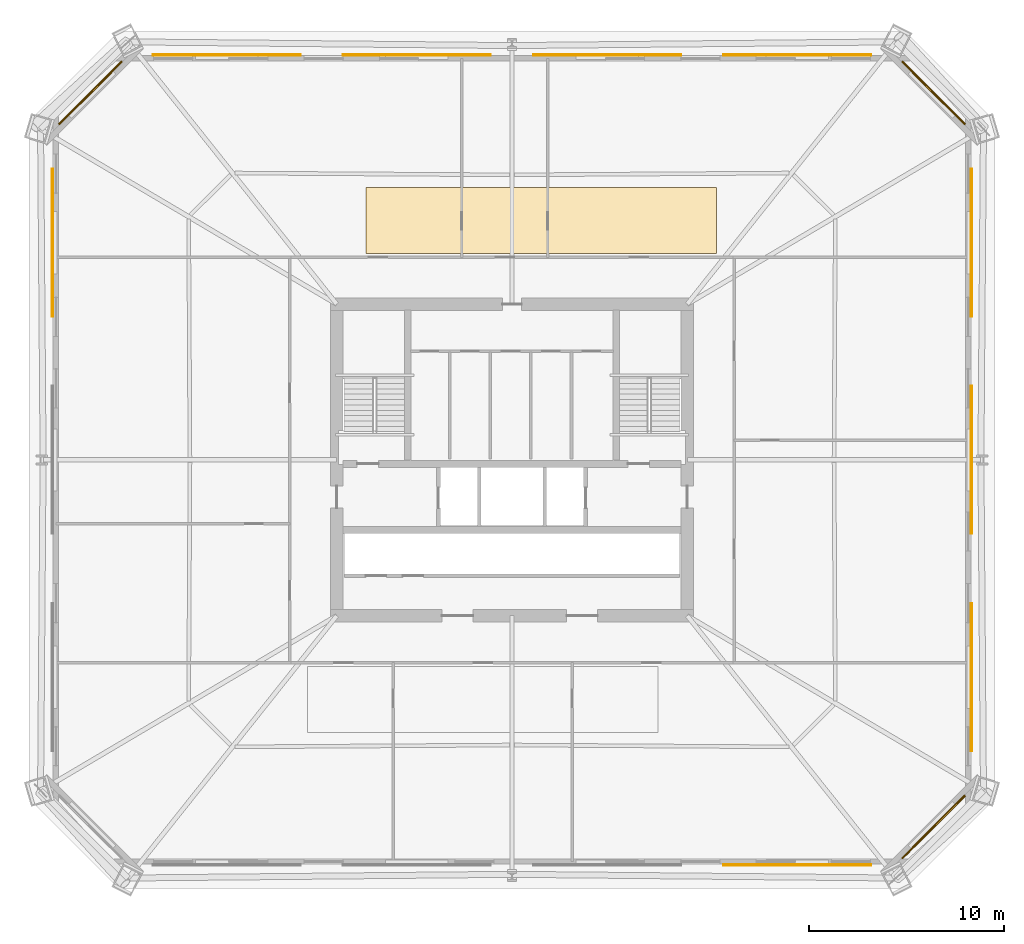
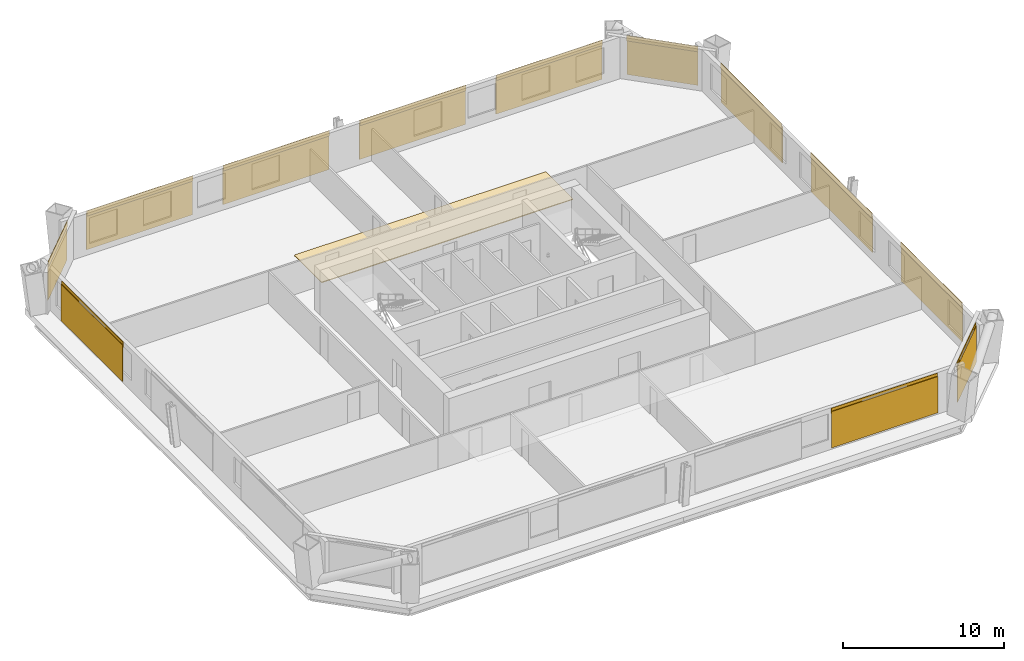
# One storey, part 7 of 7: 13 coverings, 12 shading devices.
"""IFC4 building model written with IfcOpenShell, lengths in metres."""

from ifc_helpers import new_model, si_unit, direction, frame, origin, origin_2d, place, context, subcontext, project, spatial, polyline, rectangle, outline, extrude, material, layer, layer_set, type_object, element, save


model = new_model("IFC4")

# Units and contexts
model_context = context("Model", 3, precision=1e-05, world=origin(), true_north=direction((0.0, 1.0)))
body_context = subcontext(model_context, "Body", "Model", "MODEL_VIEW")
ifc_project = project(units=[si_unit("LENGTHUNIT", "METRE"), si_unit("AREAUNIT", "SQUARE_METRE"), si_unit("VOLUMEUNIT", "CUBIC_METRE"), si_unit("PLANEANGLEUNIT", "RADIAN"), si_unit("MASSUNIT", "GRAM", prefix="KILO")], contexts=[model_context])

# Site, building, storey
site_placement = place(None, origin())
site = spatial("IfcSite", under=ifc_project, at=site_placement, CompositionType="ELEMENT")
building_placement = place(site_placement, origin())
building = spatial("IfcBuilding", under=site, at=building_placement, Name="Caelvoria Tower", CompositionType="ELEMENT")
storey_placement = place(building_placement, frame((0.0, 0.0, 35.199951171875)))
storey = spatial("IfcBuildingStorey", under=building, at=storey_placement, Name="L08", CompositionType="ELEMENT", Elevation=35.199951171875)

# Coverings
ifc_material_1 = material(Name="Perforated Architectural Bronze Cladding Screen", Category="bronze")
ifc_layer_1 = layer(ifc_material_1, 0.0400390625, Name="Perforated Architectural Bronze Cladding Screen")
ifc_layer_set_1 = layer_set([ifc_layer_1], Name="Perforated Bronze Louvre Cladding Band 40 - Perforated Architectural Bronze Cladding Screen")
covering_type_1 = type_object("IfcCoveringType", Name="Perforated Bronze Louvre Cladding Band 40", PredefinedType="CLADDING", material=ifc_layer_set_1)
covering_1_placement = place(storey_placement, frame((60.655029296875, 11.22802734375, 2.72998046875), z_axis=(0.0, 0.0, 1.0), x_axis=(1.0, 0.0, 0.0)))
element("IfcCovering", 1, at=covering_1_placement, inside=storey, type_object=covering_type_1, Name="Perforated Bronze Screen Band L08-E0-03", PredefinedType="CLADDING", context=body_context, shape_type="SweptSolid", body=[
    extrude(rectangle(XDim=7.60009765625, YDim=0.0400390625, at=origin_2d()), origin(), (0.0, 0.0, 1.0), 0.39990234375),
])
covering_2_placement = place(storey_placement, frame((67.631591796875, 13.168212890625, 2.72998046875), z_axis=(0.0, 0.0, 1.0), x_axis=(0.707106781187, 0.707106781187, 0.0)))
element("IfcCovering", 2, at=covering_2_placement, inside=storey, type_object=covering_type_1, Name="Perforated Bronze Screen Band L08-E1-00", PredefinedType="CLADDING", context=body_context, shape_type="SweptSolid", body=[
    extrude(rectangle(XDim=4.56298828125, YDim=0.0400390625, at=origin_2d()), origin(), (0.0, 0.0, 1.0), 0.39990234375),
])
for number, where, z_axis, x_axis, name in (
    (3, (69.572021484375, 20.840087890625, 2.72998046875), (0.0, 0.0, 1.0), (0.0, 1.0, 0.0), "Perforated Bronze Screen Band L08-E2-00"),
    (4, (69.572021484375, 32.0, 2.72998046875), (0.0, 0.0, 1.0), (0.0, 1.0, 0.0), "Perforated Bronze Screen Band L08-E2-01"),
    (5, (69.572021484375, 43.159912109375, 2.72998046875), (0.0, 0.0, 1.0), (0.0, 1.0, 0.0), "Perforated Bronze Screen Band L08-E2-02"),
):
    element("IfcCovering", number, at=place(storey_placement, frame(where, z_axis=z_axis, x_axis=x_axis)), inside=storey, type_object=covering_type_1, Name=name, PredefinedType="CLADDING", context=body_context, shape_type="SweptSolid", body=[
        extrude(rectangle(XDim=7.60009765625, YDim=0.0400390625, at=origin_2d()), origin(), (0.0, 0.0, 1.0), 0.39990234375),
    ])
covering_3_placement = place(storey_placement, frame((67.631591796875, 50.831787109375, 2.72998046875), z_axis=(0.0, 0.0, 1.0), x_axis=(-0.707106781187, 0.707106781187, 0.0)))
element("IfcCovering", 6, at=covering_3_placement, inside=storey, type_object=covering_type_1, Name="Perforated Bronze Screen Band L08-E3-00", PredefinedType="CLADDING", context=body_context, shape_type="SweptSolid", body=[
    extrude(rectangle(XDim=4.56298828125, YDim=0.0400390625, at=origin_2d()), origin(), (0.0, 0.0, 1.0), 0.39990234375),
])
for number, where, z_axis, x_axis, name in (
    (7, (60.655029296875, 52.77197265625, 2.72998046875), (0.0, 0.0, 1.0), (-1.0, 0.0, 0.0), "Perforated Bronze Screen Band L08-E4-00"),
    (8, (50.885009765625, 52.77197265625, 2.72998046875), (0.0, 0.0, 1.0), (-1.0, 0.0, 0.0), "Perforated Bronze Screen Band L08-E4-01"),
    (9, (41.114990234375, 52.77197265625, 2.72998046875), (0.0, 0.0, 1.0), (-1.0, 0.0, 0.0), "Perforated Bronze Screen Band L08-E4-02"),
    (10, (31.344970703125, 52.77197265625, 2.72998046875), (0.0, 0.0, 1.0), (-1.0, 0.0, 0.0), "Perforated Bronze Screen Band L08-E4-03"),
):
    element("IfcCovering", number, at=place(storey_placement, frame(where, z_axis=z_axis, x_axis=x_axis)), inside=storey, type_object=covering_type_1, Name=name, PredefinedType="CLADDING", context=body_context, shape_type="SweptSolid", body=[
        extrude(rectangle(XDim=7.60009765625, YDim=0.0400390625, at=origin_2d()), origin(), (0.0, 0.0, 1.0), 0.39990234375),
    ])
covering_4_placement = place(storey_placement, frame((24.368408203125, 50.831787109375, 2.72998046875), z_axis=(0.0, 0.0, 1.0), x_axis=(-0.707106781187, -0.707106781187, 0.0)))
element("IfcCovering", 11, at=covering_4_placement, inside=storey, type_object=covering_type_1, Name="Perforated Bronze Screen Band L08-E5-00", PredefinedType="CLADDING", context=body_context, shape_type="SweptSolid", body=[
    extrude(rectangle(XDim=4.56298828125, YDim=0.0400390625, at=origin_2d()), origin(), (0.0, 0.0, 1.0), 0.39990234375),
])
covering_5_placement = place(storey_placement, frame((22.427978515625, 43.159912109375, 2.72998046875), z_axis=(0.0, 0.0, 1.0), x_axis=(0.0, -1.0, 0.0)))
element("IfcCovering", 12, at=covering_5_placement, inside=storey, type_object=covering_type_1, Name="Perforated Bronze Screen Band L08-E6-00", PredefinedType="CLADDING", context=body_context, shape_type="SweptSolid", body=[
    extrude(rectangle(XDim=7.60009765625, YDim=0.0400390625, at=origin_2d()), origin(), (0.0, 0.0, 1.0), 0.39990234375),
])

# Shading devices
ifc_material_2 = material(Name="Perforated Architectural Bronze Alloy Panel", Category="bronze")
ifc_layer_2 = layer(ifc_material_2, 0.044921875, Name="Perforated Architectural Bronze Alloy Panel")
ifc_layer_set_2 = layer_set([ifc_layer_2], Name="Perforated Bronze Solar Screen Panel SCREEN - Perforated Architectural Bronze Alloy Panel")
shading_device_type = type_object("IfcShadingDeviceType", Name="Perforated Bronze Solar Screen Panel SCREEN", PredefinedType="USERDEFINED", material=ifc_layer_set_2)
shading_device_1_placement = place(storey_placement, frame((60.655029296875, 11.18505859375, 0.16015625), z_axis=(0.0, 0.0, 1.0), x_axis=(1.0, 0.0, 0.0)))
element("IfcShadingDevice", 13, at=shading_device_1_placement, inside=storey, type_object=shading_device_type, Name="Perforated Bronze Solar Screen L08-E0-03", ObjectType="SCREEN", PredefinedType="USERDEFINED", context=body_context, shape_type="SweptSolid", body=[
    extrude(rectangle(XDim=7.60009765625, YDim=0.044921875, at=origin_2d()), origin(), (0.0, 0.0, 1.0), 2.75),
])
shading_device_2_placement = place(storey_placement, frame((67.662109375, 13.137939453125, 0.16015625), z_axis=(0.0, 0.0, 1.0), x_axis=(0.707106781187, 0.707106781187, 0.0)))
element("IfcShadingDevice", 14, at=shading_device_2_placement, inside=storey, type_object=shading_device_type, Name="Perforated Bronze Solar Screen L08-E1-00", ObjectType="SCREEN", PredefinedType="USERDEFINED", context=body_context, shape_type="SweptSolid", body=[
    extrude(rectangle(XDim=4.56298828125, YDim=0.044921875, at=origin_2d()), origin(), (0.0, 0.0, 1.0), 2.75),
])
for number, where, z_axis, x_axis, name in (
    (15, (69.614990234375, 20.840087890625, 0.16015625), (0.0, 0.0, 1.0), (0.0, 1.0, 0.0), "Perforated Bronze Solar Screen L08-E2-00"),
    (16, (69.614990234375, 32.0, 0.16015625), (0.0, 0.0, 1.0), (0.0, 1.0, 0.0), "Perforated Bronze Solar Screen L08-E2-01"),
    (17, (69.614990234375, 43.159912109375, 0.16015625), (0.0, 0.0, 1.0), (0.0, 1.0, 0.0), "Perforated Bronze Solar Screen L08-E2-02"),
):
    element("IfcShadingDevice", number, at=place(storey_placement, frame(where, z_axis=z_axis, x_axis=x_axis)), inside=storey, type_object=shading_device_type, Name=name, ObjectType="SCREEN", PredefinedType="USERDEFINED", context=body_context, shape_type="SweptSolid", body=[
        extrude(rectangle(XDim=7.60009765625, YDim=0.044921875, at=origin_2d()), origin(), (0.0, 0.0, 1.0), 2.75),
    ])
shading_device_3_placement = place(storey_placement, frame((67.662109375, 50.862060546875, 0.16015625), z_axis=(0.0, 0.0, 1.0), x_axis=(-0.707106781187, 0.707106781187, 0.0)))
element("IfcShadingDevice", 18, at=shading_device_3_placement, inside=storey, type_object=shading_device_type, Name="Perforated Bronze Solar Screen L08-E3-00", ObjectType="SCREEN", PredefinedType="USERDEFINED", context=body_context, shape_type="SweptSolid", body=[
    extrude(rectangle(XDim=4.56298828125, YDim=0.044921875, at=origin_2d()), origin(), (0.0, 0.0, 1.0), 2.75),
])
for number, where, z_axis, x_axis, name in (
    (19, (60.655029296875, 52.81494140625, 0.16015625), (0.0, 0.0, 1.0), (-1.0, 0.0, 0.0), "Perforated Bronze Solar Screen L08-E4-00"),
    (20, (50.885009765625, 52.81494140625, 0.16015625), (0.0, 0.0, 1.0), (-1.0, 0.0, 0.0), "Perforated Bronze Solar Screen L08-E4-01"),
    (21, (41.114990234375, 52.81494140625, 0.16015625), (0.0, 0.0, 1.0), (-1.0, 0.0, 0.0), "Perforated Bronze Solar Screen L08-E4-02"),
    (22, (31.344970703125, 52.81494140625, 0.16015625), (0.0, 0.0, 1.0), (-1.0, 0.0, 0.0), "Perforated Bronze Solar Screen L08-E4-03"),
):
    element("IfcShadingDevice", number, at=place(storey_placement, frame(where, z_axis=z_axis, x_axis=x_axis)), inside=storey, type_object=shading_device_type, Name=name, ObjectType="SCREEN", PredefinedType="USERDEFINED", context=body_context, shape_type="SweptSolid", body=[
        extrude(rectangle(XDim=7.60009765625, YDim=0.044921875, at=origin_2d()), origin(), (0.0, 0.0, 1.0), 2.75),
    ])
shading_device_4_placement = place(storey_placement, frame((24.337890625, 50.862060546875, 0.16015625), z_axis=(0.0, 0.0, 1.0), x_axis=(-0.707106781187, -0.707106781187, 0.0)))
element("IfcShadingDevice", 23, at=shading_device_4_placement, inside=storey, type_object=shading_device_type, Name="Perforated Bronze Solar Screen L08-E5-00", ObjectType="SCREEN", PredefinedType="USERDEFINED", context=body_context, shape_type="SweptSolid", body=[
    extrude(rectangle(XDim=4.56298828125, YDim=0.044921875, at=origin_2d()), origin(), (0.0, 0.0, 1.0), 2.75),
])
shading_device_5_placement = place(storey_placement, frame((22.385009765625, 43.159912109375, 0.16015625), z_axis=(0.0, 0.0, 1.0), x_axis=(0.0, -1.0, 0.0)))
element("IfcShadingDevice", 24, at=shading_device_5_placement, inside=storey, type_object=shading_device_type, Name="Perforated Bronze Solar Screen L08-E6-00", ObjectType="SCREEN", PredefinedType="USERDEFINED", context=body_context, shape_type="SweptSolid", body=[
    extrude(rectangle(XDim=7.60009765625, YDim=0.044921875, at=origin_2d()), origin(), (0.0, 0.0, 1.0), 2.75),
])

# Covering
ifc_material_3 = material(Name="Calcium-Sulphate Raised Floor Tile", Category="gypsum")
ifc_layer_3 = layer(ifc_material_3, 0.06005859375, Name="Calcium-Sulphate Raised Floor Tile")
ifc_layer_set_3 = layer_set([ifc_layer_3], Name="Raised Access Office Floor System 120 - Calcium-Sulphate Raised Floor Tile")
covering_type_2 = type_object("IfcCoveringType", Name="Raised Access Office Floor System 120", PredefinedType="FLOORING", material=ifc_layer_set_3)
covering_6_placement = place(storey_placement, origin())
element("IfcCovering", 25, at=covering_6_placement, inside=storey, type_object=covering_type_2, Name="Raised Access Flooring L08", PredefinedType="FLOORING", context=body_context, shape_type="SweptSolid", body=[
    extrude(outline(polyline([(38.5, 42.60009765625), (56.5, 42.60009765625), (56.5, 46.0), (38.5, 46.0), (38.5, 42.60009765625)])), origin(), (0.0, 0.0, 1.0), 0.06005859375),
])

save(model, "model.ifc")
